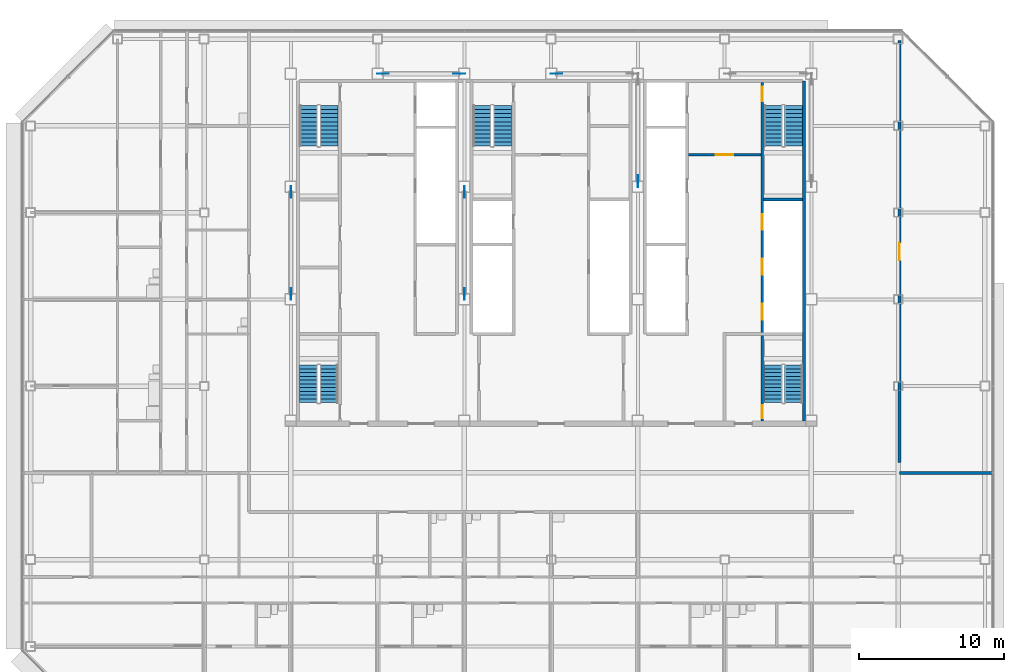
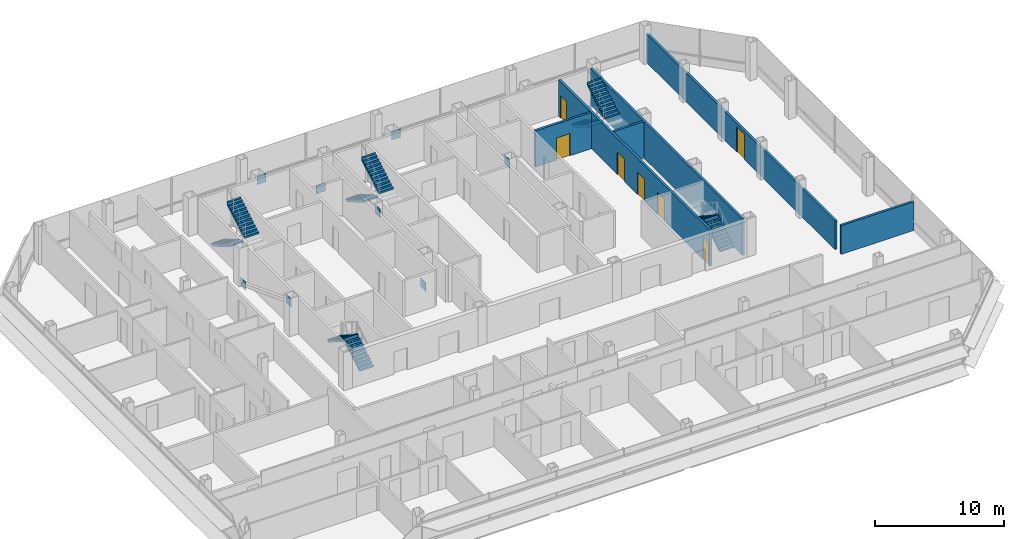
# One storey, part 24 of 27: 10 stair flights, 8 discrete accessories, 7 doors, 6 walls, 7 openings, 5 elements without a shape of their own.
"""IFC4 building model written with IfcOpenShell, lengths in metres."""

from ifc_helpers import new_model, si_unit, direction, frame, frame_2d, origin, origin_2d, place, context, subcontext, project, spatial, polyline, rectangle, outline, extrude, material, layer, layer_set, type_object, element, fill, aggregate, save


model = new_model("IFC4")

# Units and contexts
model_context = context("Model", 3, precision=1e-05, world=origin(), true_north=direction((0.0, 1.0)))
body_context = subcontext(model_context, "Body", "Model", "MODEL_VIEW")
ifc_project = project(units=[si_unit("LENGTHUNIT", "METRE"), si_unit("AREAUNIT", "SQUARE_METRE"), si_unit("VOLUMEUNIT", "CUBIC_METRE"), si_unit("PLANEANGLEUNIT", "RADIAN"), si_unit("MASSUNIT", "GRAM", prefix="KILO")], contexts=[model_context])

# Site, building, storey
site_placement = place(None, origin())
site = spatial("IfcSite", under=ifc_project, at=site_placement, CompositionType="ELEMENT")
building_placement = place(site_placement, origin())
building = spatial("IfcBuilding", under=site, at=building_placement, Name="Sorahane Residences", CompositionType="ELEMENT")
storey_placement = place(building_placement, frame((0.0, 0.0, 202.800048828125)))
storey = spatial("IfcBuildingStorey", under=building, at=storey_placement, Name="L47", CompositionType="ELEMENT", Elevation=202.800048828125)

# Wall
ifc_material_1 = material(Name="Concrete C30", Category="concrete")
ifc_layer_1 = layer(ifc_material_1, 0.199951171875)
ifc_layer_set_1 = layer_set([ifc_layer_1], Name="Core face wall 200 EI 180")
wall_type_1 = type_object("IfcWallType", Name="Core face wall 200 EI 180", PredefinedType="SOLIDWALL", material=ifc_layer_set_1)
wall_1_placement = place(storey_placement, frame((41.5, 21.60009765625, 0.0), z_axis=(0.0, 0.0, 1.0), x_axis=(0.0, 1.0, 0.0)))
element("IfcWall", 1, at=wall_1_placement, inside=storey, type_object=wall_type_1, Name="L47 core face wall", PredefinedType="SOLIDWALL", context=body_context, shape_type="SweptSolid", body=[
    extrude(rectangle(XDim=23.5, YDim=0.199951171875, at=frame_2d((11.75, 0.0))), origin(), (0.0, 0.0, 1.0), 3.419921875),
])

# Wall, opening, door
ifc_material_2 = material(Name="Concrete blockwork C20 wall", Category="masonry")
ifc_layer_2 = layer(ifc_material_2, 0.199951171875)
ifc_layer_set_2 = layer_set([ifc_layer_2], Name="Corridor wall 200 EI 120")
wall_type_2 = type_object("IfcWallType", Name="Corridor wall 200 EI 120", PredefinedType="SOLIDWALL", material=ifc_layer_set_2)
wall_2_placement = place(storey_placement, frame((48.10009765625, 18.699951171875, 0.0), z_axis=(0.0, 0.0, 1.0), x_axis=(0.0, 1.0, 0.0)))
wall_2 = element("IfcWall", 2, at=wall_2_placement, inside=storey, type_object=wall_type_2, Name="L47 corridor wall", PredefinedType="SOLIDWALL", context=body_context, shape_type="SweptSolid", body=[
    extrude(rectangle(XDim=29.199951171875, YDim=0.199951171875, at=frame_2d((14.60009765625, 0.0))), origin(), (0.0, 0.0, 1.0), 2.719970703125),
])
opening_1_placement = place(wall_2_placement, frame((14.0, 0.0, 0.0)))
opening_1 = element("IfcOpeningElement", 3, at=opening_1_placement, cuts=wall_2, Name="Opening L47-47", PredefinedType="OPENING", context=body_context, shape_type="SweptSolid", body=[
    extrude(rectangle(XDim=1.199951171875, YDim=2.39990234375, at=frame_2d((0.60009765625, 1.199951171875))), frame((0.0, 0.10986328125, 0.0), z_axis=(0.0, -1.0, 0.0), x_axis=(1.0, 0.0, 0.0)), (0.0, 0.0, 1.0), 0.219970703125),
])
ifc_material_3 = material(Name="Steel", Category="steel")
door_type_1 = type_object("IfcDoorType", Name="Lobby door 1200x2400 FD60", OperationType="NOTDEFINED", PredefinedType="DOOR", material=ifc_material_3)
door_1_placement = place(opening_1_placement, frame((1.199951171875, 0.0, 0.0), z_axis=(0.0, 0.0, 1.0), x_axis=(-1.0, 0.0, 0.0)))
door_1 = element("IfcDoor", 4, at=door_1_placement, inside=storey, type_object=door_type_1, Name="Lobby door L47-47", OperationType="SINGLE_SWING_LEFT", OverallHeight=2.39990234375, OverallWidth=1.199951171875, PredefinedType="DOOR", context=body_context, shape_type="SweptSolid", body=[
    extrude(rectangle(XDim=1.199951171875, YDim=2.39990234375, at=frame_2d((0.60009765625, 1.199951171875))), frame((0.0, 0.02490234375, 0.0), z_axis=(0.0, -1.0, 0.0), x_axis=(1.0, 0.0, 0.0)), (0.0, 0.0, 1.0), 0.050048828125),
])
fill(opening_1, door_1)

# Wall
wall_3_placement = place(storey_placement, frame((48.10009765625, 18.0, 0.0), z_axis=(0.0, 0.0, 1.0), x_axis=(1.0, 0.0, 0.0)))
element("IfcWall", 5, at=wall_3_placement, inside=storey, type_object=wall_type_2, Name="L47 corridor wall", PredefinedType="SOLIDWALL", context=body_context, shape_type="SweptSolid", body=[
    extrude(rectangle(XDim=6.5, YDim=0.199951171875, at=frame_2d((3.25, 0.0))), origin(), (0.0, 0.0, 1.0), 2.719970703125),
])

# Wall, opening, door
ifc_material_4 = material(Name="Concrete C30", Category="concrete")
ifc_layer_3 = layer(ifc_material_4, 0.199951171875)
ifc_layer_set_3 = layer_set([ifc_layer_3], Name="Front room wall 200 EI 120")
wall_type_3 = type_object("IfcWallType", Name="Front room wall 200 EI 120", PredefinedType="PARTITIONING", material=ifc_layer_set_3)
wall_4_placement = place(storey_placement, frame((33.5, 40.0, 0.0), z_axis=(0.0, 0.0, 1.0), x_axis=(1.0, 0.0, 0.0)))
wall_4 = element("IfcWall", 6, at=wall_4_placement, inside=storey, type_object=wall_type_3, Name="L47 front room wall", PredefinedType="PARTITIONING", context=body_context, shape_type="SweptSolid", body=[
    extrude(rectangle(XDim=5.0, YDim=0.199951171875, at=frame_2d((2.5, 0.0))), origin(), (0.0, 0.0, 1.0), 3.419921875),
])
opening_2_placement = place(wall_4_placement, frame((1.89990234375, 0.0, 0.0)))
opening_2 = element("IfcOpeningElement", 7, at=opening_2_placement, cuts=wall_4, Name="Opening L47-C10", PredefinedType="OPENING", context=body_context, shape_type="SweptSolid", body=[
    extrude(rectangle(XDim=1.199951171875, YDim=2.10009765625, at=frame_2d((0.60009765625, 1.050048828125))), frame((0.0, 0.10986328125, 0.0), z_axis=(0.0, -1.0, 0.0), x_axis=(1.0, 0.0, 0.0)), (0.0, 0.0, 1.0), 0.219970703125),
])
ifc_material_5 = material(Name="Steel", Category="steel")
door_type_2 = type_object("IfcDoorType", Name="Front room door 1200x2100 FD120", OperationType="NOTDEFINED", PredefinedType="DOOR", material=ifc_material_5)
door_2_placement = place(opening_2_placement, frame((1.199951171875, 0.0, 0.0), z_axis=(0.0, 0.0, 1.0), x_axis=(-1.0, 0.0, 0.0)))
door_2 = element("IfcDoor", 8, at=door_2_placement, inside=storey, type_object=door_type_2, Name="Front room door Firefighting lobby FF2 front room L47", OperationType="DOUBLE_DOOR_SINGLE_SWING", OverallHeight=2.10009765625, OverallWidth=1.199951171875, PredefinedType="DOOR", context=body_context, shape_type="SweptSolid", body=[
    extrude(rectangle(XDim=1.199951171875, YDim=2.10009765625, at=frame_2d((0.60009765625, 1.050048828125))), frame((0.0, 0.02490234375, 0.0), z_axis=(0.0, -1.0, 0.0), x_axis=(1.0, 0.0, 0.0)), (0.0, 0.0, 1.0), 0.050048828125),
])
fill(opening_2, door_2)

# Wall, openings, doors
ifc_material_6 = material(Name="Concrete C30", Category="concrete")
ifc_layer_4 = layer(ifc_material_6, 0.199951171875)
ifc_layer_set_4 = layer_set([ifc_layer_4], Name="Stair enclosure wall 200 EI 120")
wall_type_4 = type_object("IfcWallType", Name="Stair enclosure wall 200 EI 120", PredefinedType="SOLIDWALL", material=ifc_layer_set_4)
wall_5_placement = place(storey_placement, frame((38.60009765625, 21.60009765625, 0.0), z_axis=(0.0, 0.0, 1.0), x_axis=(0.0, 1.0, 0.0)))
wall_5 = element("IfcWall", 9, at=wall_5_placement, inside=storey, type_object=wall_type_4, Name="L47 stair enclosure wall", PredefinedType="SOLIDWALL", context=body_context, shape_type="SweptSolid", body=[
    extrude(rectangle(XDim=23.39990234375, YDim=0.199951171875, at=frame_2d((11.699951171875, 0.0))), origin(), (0.0, 0.0, 1.0), 3.419921875),
])
opening_3_placement = place(wall_5_placement, frame((7.0, 0.0, 0.0)))
opening_3 = element("IfcOpeningElement", 10, at=opening_3_placement, cuts=wall_5, Name="Opening L47-C11", PredefinedType="OPENING", context=body_context, shape_type="SweptSolid", body=[
    extrude(rectangle(XDim=1.10009765625, YDim=2.10009765625, at=frame_2d((0.550048828125, 1.050048828125))), frame((0.0, 0.10986328125, 0.0), z_axis=(0.0, -1.0, 0.0), x_axis=(1.0, 0.0, 0.0)), (0.0, 0.0, 1.0), 0.219970703125),
])
opening_4_placement = place(wall_5_placement, frame((10.10009765625, 0.0, 0.0)))
opening_4 = element("IfcOpeningElement", 11, at=opening_4_placement, cuts=wall_5, Name="Opening L47-C12", PredefinedType="OPENING", context=body_context, shape_type="SweptSolid", body=[
    extrude(rectangle(XDim=1.10009765625, YDim=2.10009765625, at=frame_2d((0.550048828125, 1.050048828125))), frame((0.0, 0.10986328125, 0.0), z_axis=(0.0, -1.0, 0.0), x_axis=(1.0, 0.0, 0.0)), (0.0, 0.0, 1.0), 0.219970703125),
])
opening_5_placement = place(wall_5_placement, frame((13.199951171875, 0.0, 0.0)))
opening_5 = element("IfcOpeningElement", 12, at=opening_5_placement, cuts=wall_5, Name="Opening L47-C13", PredefinedType="OPENING", context=body_context, shape_type="SweptSolid", body=[
    extrude(rectangle(XDim=1.10009765625, YDim=2.10009765625, at=frame_2d((0.550048828125, 1.050048828125))), frame((0.0, 0.10986328125, 0.0), z_axis=(0.0, -1.0, 0.0), x_axis=(1.0, 0.0, 0.0)), (0.0, 0.0, 1.0), 0.219970703125),
])
opening_6_placement = place(wall_5_placement, frame((22.10009765625, 0.0, 0.0)))
opening_6 = element("IfcOpeningElement", 13, at=opening_6_placement, cuts=wall_5, Name="Opening L47-C22", PredefinedType="OPENING", context=body_context, shape_type="SweptSolid", body=[
    extrude(rectangle(XDim=1.0, YDim=2.10009765625, at=frame_2d((0.5, 1.050048828125))), frame((0.0, 0.10986328125, 0.0), z_axis=(0.0, -1.0, 0.0), x_axis=(1.0, 0.0, 0.0)), (0.0, 0.0, 1.0), 0.219970703125),
])
opening_7_placement = place(wall_5_placement, frame((0.175048828125, 0.0, 0.0)))
opening_7 = element("IfcOpeningElement", 14, at=opening_7_placement, cuts=wall_5, Name="Opening L47-C25", PredefinedType="OPENING", context=body_context, shape_type="SweptSolid", body=[
    extrude(rectangle(XDim=0.89990234375, YDim=2.10009765625, at=frame_2d((0.449951171875, 1.050048828125))), frame((0.0, 0.10986328125, 0.0), z_axis=(0.0, -1.0, 0.0), x_axis=(1.0, 0.0, 0.0)), (0.0, 0.0, 1.0), 0.219970703125),
])
ifc_material_7 = material(Name="Aluminium and stainless steel", Category="steel")
door_type_3 = type_object("IfcDoorType", Name="Lift landing door 1100x2100 E 60", OperationType="NOTDEFINED", PredefinedType="DOOR", material=ifc_material_7)
door_3_placement = place(opening_3_placement, origin())
door_3 = element("IfcDoor", 15, at=door_3_placement, inside=storey, type_object=door_type_3, Name="Lift landing door HR1 L47", OperationType="DOUBLE_DOOR_SLIDING", OverallHeight=2.10009765625, OverallWidth=1.10009765625, PredefinedType="DOOR", context=body_context, shape_type="SweptSolid", body=[
    extrude(rectangle(XDim=1.10009765625, YDim=2.10009765625, at=frame_2d((0.550048828125, 1.050048828125))), frame((0.0, 0.02490234375, 0.0), z_axis=(0.0, -1.0, 0.0), x_axis=(1.0, 0.0, 0.0)), (0.0, 0.0, 1.0), 0.050048828125),
])
fill(opening_3, door_3)
door_4_placement = place(opening_4_placement, origin())
door_4 = element("IfcDoor", 16, at=door_4_placement, inside=storey, type_object=door_type_3, Name="Lift landing door HR2 L47", OperationType="DOUBLE_DOOR_SLIDING", OverallHeight=2.10009765625, OverallWidth=1.10009765625, PredefinedType="DOOR", context=body_context, shape_type="SweptSolid", body=[
    extrude(rectangle(XDim=1.10009765625, YDim=2.10009765625, at=frame_2d((0.550048828125, 1.050048828125))), frame((0.0, 0.02490234375, 0.0), z_axis=(0.0, -1.0, 0.0), x_axis=(1.0, 0.0, 0.0)), (0.0, 0.0, 1.0), 0.050048828125),
])
fill(opening_4, door_4)
door_5_placement = place(opening_5_placement, origin())
door_5 = element("IfcDoor", 17, at=door_5_placement, inside=storey, type_object=door_type_3, Name="Lift landing door HR3 L47", OperationType="DOUBLE_DOOR_SLIDING", OverallHeight=2.10009765625, OverallWidth=1.10009765625, PredefinedType="DOOR", context=body_context, shape_type="SweptSolid", body=[
    extrude(rectangle(XDim=1.10009765625, YDim=2.10009765625, at=frame_2d((0.550048828125, 1.050048828125))), frame((0.0, 0.02490234375, 0.0), z_axis=(0.0, -1.0, 0.0), x_axis=(1.0, 0.0, 0.0)), (0.0, 0.0, 1.0), 0.050048828125),
])
fill(opening_5, door_5)
ifc_material_8 = material(Name="Steel", Category="steel")
door_type_4 = type_object("IfcDoorType", Name="Stair door 1000x2100 FD120", OperationType="NOTDEFINED", PredefinedType="DOOR", material=ifc_material_8)
door_6_placement = place(opening_6_placement, frame((1.0, 0.0, 0.0), z_axis=(0.0, 0.0, 1.0), x_axis=(-1.0, 0.0, 0.0)))
door_6 = element("IfcDoor", 18, at=door_6_placement, inside=storey, type_object=door_type_4, Name="Stair door S2 L47", OperationType="SINGLE_SWING_LEFT", OverallHeight=2.10009765625, OverallWidth=1.0, PredefinedType="DOOR", context=body_context, shape_type="SweptSolid", body=[
    extrude(rectangle(XDim=1.0, YDim=2.10009765625, at=frame_2d((0.5, 1.050048828125))), frame((0.0, 0.02490234375, 0.0), z_axis=(0.0, -1.0, 0.0), x_axis=(1.0, 0.0, 0.0)), (0.0, 0.0, 1.0), 0.050048828125),
])
fill(opening_6, door_6)
ifc_material_9 = material(Name="Steel", Category="steel")
door_type_5 = type_object("IfcDoorType", Name="Stair door 900x2100 FD120", OperationType="NOTDEFINED", PredefinedType="DOOR", material=ifc_material_9)
door_7_placement = place(opening_7_placement, frame((0.89990234375, 0.0, 0.0), z_axis=(0.0, 0.0, 1.0), x_axis=(-1.0, 0.0, 0.0)))
door_7 = element("IfcDoor", 19, at=door_7_placement, inside=storey, type_object=door_type_5, Name="Stair door S5 L47", OperationType="SINGLE_SWING_LEFT", OverallHeight=2.10009765625, OverallWidth=0.89990234375, PredefinedType="DOOR", context=body_context, shape_type="SweptSolid", body=[
    extrude(rectangle(XDim=0.89990234375, YDim=2.10009765625, at=frame_2d((0.449951171875, 1.050048828125))), frame((0.0, 0.02490234375, 0.0), z_axis=(0.0, -1.0, 0.0), x_axis=(1.0, 0.0, 0.0)), (0.0, 0.0, 1.0), 0.050048828125),
])
fill(opening_7, door_7)

# Wall
wall_6_placement = place(storey_placement, frame((38.699951171875, 36.89990234375, 0.0), z_axis=(0.0, 0.0, 1.0), x_axis=(1.0, 0.0, 0.0)))
element("IfcWall", 20, at=wall_6_placement, inside=storey, type_object=wall_type_4, Name="L47 stair enclosure wall", PredefinedType="SOLIDWALL", context=body_context, shape_type="SweptSolid", body=[
    extrude(rectangle(XDim=2.699951171875, YDim=0.199951171875, at=frame_2d((1.35009765625, 0.0))), origin(), (0.0, 0.0, 1.0), 3.419921875),
])

# Stair, stair flights
ifc_material_10 = material(Name="Concrete C40", Category="concrete")
stair_type = type_object("IfcStairType", Name="Dog-leg stair 1250 Concrete C40", PredefinedType="HALF_TURN_STAIR", material=ifc_material_10)
stair_1_placement = place(storey_placement, origin())
stair_1 = element("IfcStair", 21, at=stair_1_placement, inside=storey, type_object=stair_type, Name="L47 Stair S1", PredefinedType="HALF_TURN_STAIR")
ifc_material_11 = material(Name="Concrete C40", Category="concrete")
stair_flight_type = type_object("IfcStairFlightType", Name="Stair flight 1250 Concrete C40", PredefinedType="STRAIGHT", material=ifc_material_11)
stair_flight_1_placement = place(storey_placement, frame((7.22509765625, 43.39990234375, 0.0), z_axis=(0.0, 0.0, 1.0), x_axis=(0.0, -1.0, 0.0)))
stair_flight_1 = element("IfcStairFlight", 22, at=stair_flight_1_placement, type_object=stair_flight_type, Name="S1 flight 1", NumberOfRisers=11, NumberOfTreads=10, PredefinedType="STRAIGHT", RiserHeight=0.163636364, TreadLength=0.28, context=body_context, shape_type="SweptSolid", body=[
    extrude(outline(polyline([(-0.00146484375, 0.0), (-0.00146484375, 0.16357421875), (0.0, 0.16357421875), (0.280029296875, 0.16357421875), (0.280029296875, 0.327392578125), (0.56005859375, 0.327392578125), (0.56005859375, 0.490966796875), (0.840087890625, 0.490966796875), (0.840087890625, 0.654541015625), (1.1201171875, 0.654541015625), (1.1201171875, 0.818115234375), (1.39990234375, 0.818115234375), (1.39990234375, 0.98193359375), (1.679931640625, 0.98193359375), (1.679931640625, 1.1455078125), (1.9599609375, 1.1455078125), (1.9599609375, 1.30908203125), (2.239990234375, 1.30908203125), (2.239990234375, 1.47265625), (2.52001953125, 1.47265625), (2.52001953125, 1.636474609375), (2.800048828125, 1.636474609375), (2.800048828125, 1.800048828125), (2.800048828125, 1.462646484375), (2.59130859375, 1.3408203125), (2.3828125, 1.218994140625), (2.17431640625, 1.09716796875), (1.965576171875, 0.97509765625), (1.757080078125, 0.853271484375), (1.548583984375, 0.7314453125), (1.340087890625, 0.609375), (1.13134765625, 0.487548828125), (0.9228515625, 0.36572265625), (0.71435546875, 0.243896484375), (0.505615234375, 0.121826171875), (0.297119140625, 0.0), (-0.00146484375, 0.0)])), frame((0.0, 0.625, 0.0), z_axis=(0.0, -1.0, 0.0), x_axis=(1.0, 0.0, 0.0)), (0.0, 0.0, 1.0), 1.25),
])
stair_flight_2_placement = place(storey_placement, frame((8.625, 40.60009765625, 1.800048828125), z_axis=(0.0, 0.0, 1.0), x_axis=(0.0, 1.0, 0.0)))
stair_flight_2 = element("IfcStairFlight", 23, at=stair_flight_2_placement, type_object=stair_flight_type, Name="S1 flight 2", NumberOfRisers=11, NumberOfTreads=10, PredefinedType="STRAIGHT", RiserHeight=0.163636364, TreadLength=0.28, context=body_context, shape_type="SweptSolid", body=[
    extrude(outline(polyline([(0.0, 0.0), (0.0, 0.16357421875), (0.280029296875, 0.16357421875), (0.280029296875, 0.327392578125), (0.56005859375, 0.327392578125), (0.56005859375, 0.490966796875), (0.840087890625, 0.490966796875), (0.840087890625, 0.654541015625), (1.1201171875, 0.654541015625), (1.1201171875, 0.818115234375), (1.39990234375, 0.818115234375), (1.39990234375, 0.98193359375), (1.679931640625, 0.98193359375), (1.679931640625, 1.1455078125), (1.9599609375, 1.1455078125), (1.9599609375, 1.30908203125), (2.239990234375, 1.30908203125), (2.239990234375, 1.47265625), (2.52001953125, 1.47265625), (2.52001953125, 1.636474609375), (2.800048828125, 1.636474609375), (2.800048828125, 1.800048828125), (2.801513671875, 1.800048828125), (2.801513671875, 1.462646484375), (2.5927734375, 1.3408203125), (2.384033203125, 1.218994140625), (2.17529296875, 1.09716796875), (1.966796875, 0.97509765625), (1.758056640625, 0.853271484375), (1.54931640625, 0.7314453125), (1.340576171875, 0.609375), (1.1318359375, 0.487548828125), (0.923095703125, 0.36572265625), (0.714599609375, 0.243896484375), (0.505859375, 0.121826171875), (0.297119140625, 0.0), (0.0, 0.0)])), frame((0.0, 0.625, 0.0), z_axis=(0.0, -1.0, 0.0), x_axis=(1.0, 0.0, 0.0)), (0.0, 0.0, 1.0), 1.25),
])
aggregate(stair_1, [stair_flight_1, stair_flight_2])

stair_2_placement = place(storey_placement, origin())
stair_2 = element("IfcStair", 24, at=stair_2_placement, inside=storey, type_object=stair_type, Name="L47 Stair S2", PredefinedType="HALF_TURN_STAIR")
stair_flight_3_placement = place(storey_placement, frame((39.375, 43.39990234375, 0.0), z_axis=(0.0, 0.0, 1.0), x_axis=(0.0, -1.0, 0.0)))
stair_flight_3 = element("IfcStairFlight", 25, at=stair_flight_3_placement, type_object=stair_flight_type, Name="S2 flight 1", NumberOfRisers=11, NumberOfTreads=10, PredefinedType="STRAIGHT", RiserHeight=0.163636364, TreadLength=0.28, context=body_context, shape_type="SweptSolid", body=[
    extrude(outline(polyline([(-0.00146484375, 0.0), (-0.00146484375, 0.16357421875), (0.0, 0.16357421875), (0.280029296875, 0.16357421875), (0.280029296875, 0.327392578125), (0.56005859375, 0.327392578125), (0.56005859375, 0.490966796875), (0.840087890625, 0.490966796875), (0.840087890625, 0.654541015625), (1.1201171875, 0.654541015625), (1.1201171875, 0.818115234375), (1.39990234375, 0.818115234375), (1.39990234375, 0.98193359375), (1.679931640625, 0.98193359375), (1.679931640625, 1.1455078125), (1.9599609375, 1.1455078125), (1.9599609375, 1.30908203125), (2.239990234375, 1.30908203125), (2.239990234375, 1.47265625), (2.52001953125, 1.47265625), (2.52001953125, 1.636474609375), (2.800048828125, 1.636474609375), (2.800048828125, 1.800048828125), (2.800048828125, 1.462646484375), (2.59130859375, 1.3408203125), (2.3828125, 1.218994140625), (2.17431640625, 1.09716796875), (1.965576171875, 0.97509765625), (1.757080078125, 0.853271484375), (1.548583984375, 0.7314453125), (1.340087890625, 0.609375), (1.13134765625, 0.487548828125), (0.9228515625, 0.36572265625), (0.71435546875, 0.243896484375), (0.505615234375, 0.121826171875), (0.297119140625, 0.0), (-0.00146484375, 0.0)])), frame((0.0, 0.625, 0.0), z_axis=(0.0, -1.0, 0.0), x_axis=(1.0, 0.0, 0.0)), (0.0, 0.0, 1.0), 1.25),
])
stair_flight_4_placement = place(storey_placement, frame((40.77490234375, 40.60009765625, 1.800048828125), z_axis=(0.0, 0.0, 1.0), x_axis=(0.0, 1.0, 0.0)))
stair_flight_4 = element("IfcStairFlight", 26, at=stair_flight_4_placement, type_object=stair_flight_type, Name="S2 flight 2", NumberOfRisers=11, NumberOfTreads=10, PredefinedType="STRAIGHT", RiserHeight=0.163636364, TreadLength=0.28, context=body_context, shape_type="SweptSolid", body=[
    extrude(outline(polyline([(0.0, 0.0), (0.0, 0.16357421875), (0.280029296875, 0.16357421875), (0.280029296875, 0.327392578125), (0.56005859375, 0.327392578125), (0.56005859375, 0.490966796875), (0.840087890625, 0.490966796875), (0.840087890625, 0.654541015625), (1.1201171875, 0.654541015625), (1.1201171875, 0.818115234375), (1.39990234375, 0.818115234375), (1.39990234375, 0.98193359375), (1.679931640625, 0.98193359375), (1.679931640625, 1.1455078125), (1.9599609375, 1.1455078125), (1.9599609375, 1.30908203125), (2.239990234375, 1.30908203125), (2.239990234375, 1.47265625), (2.52001953125, 1.47265625), (2.52001953125, 1.636474609375), (2.800048828125, 1.636474609375), (2.800048828125, 1.800048828125), (2.801513671875, 1.800048828125), (2.801513671875, 1.462646484375), (2.5927734375, 1.3408203125), (2.384033203125, 1.218994140625), (2.17529296875, 1.09716796875), (1.966796875, 0.97509765625), (1.758056640625, 0.853271484375), (1.54931640625, 0.7314453125), (1.340576171875, 0.609375), (1.1318359375, 0.487548828125), (0.923095703125, 0.36572265625), (0.714599609375, 0.243896484375), (0.505859375, 0.121826171875), (0.297119140625, 0.0), (0.0, 0.0)])), frame((0.0, 0.625, 0.0), z_axis=(0.0, -1.0, 0.0), x_axis=(1.0, 0.0, 0.0)), (0.0, 0.0, 1.0), 1.25),
])
aggregate(stair_2, [stair_flight_3, stair_flight_4])

stair_3_placement = place(storey_placement, origin())
stair_3 = element("IfcStair", 27, at=stair_3_placement, inside=storey, type_object=stair_type, Name="L47 Stair S3", PredefinedType="HALF_TURN_STAIR")
stair_flight_5_placement = place(storey_placement, frame((19.22509765625, 43.39990234375, 0.0), z_axis=(0.0, 0.0, 1.0), x_axis=(0.0, -1.0, 0.0)))
stair_flight_5 = element("IfcStairFlight", 28, at=stair_flight_5_placement, type_object=stair_flight_type, Name="S3 flight 1", NumberOfRisers=11, NumberOfTreads=10, PredefinedType="STRAIGHT", RiserHeight=0.163636364, TreadLength=0.28, context=body_context, shape_type="SweptSolid", body=[
    extrude(outline(polyline([(-0.00146484375, 0.0), (-0.00146484375, 0.16357421875), (0.0, 0.16357421875), (0.280029296875, 0.16357421875), (0.280029296875, 0.327392578125), (0.56005859375, 0.327392578125), (0.56005859375, 0.490966796875), (0.840087890625, 0.490966796875), (0.840087890625, 0.654541015625), (1.1201171875, 0.654541015625), (1.1201171875, 0.818115234375), (1.39990234375, 0.818115234375), (1.39990234375, 0.98193359375), (1.679931640625, 0.98193359375), (1.679931640625, 1.1455078125), (1.9599609375, 1.1455078125), (1.9599609375, 1.30908203125), (2.239990234375, 1.30908203125), (2.239990234375, 1.47265625), (2.52001953125, 1.47265625), (2.52001953125, 1.636474609375), (2.800048828125, 1.636474609375), (2.800048828125, 1.800048828125), (2.800048828125, 1.462646484375), (2.59130859375, 1.3408203125), (2.3828125, 1.218994140625), (2.17431640625, 1.09716796875), (1.965576171875, 0.97509765625), (1.757080078125, 0.853271484375), (1.548583984375, 0.7314453125), (1.340087890625, 0.609375), (1.13134765625, 0.487548828125), (0.9228515625, 0.36572265625), (0.71435546875, 0.243896484375), (0.505615234375, 0.121826171875), (0.297119140625, 0.0), (-0.00146484375, 0.0)])), frame((0.0, 0.625, 0.0), z_axis=(0.0, -1.0, 0.0), x_axis=(1.0, 0.0, 0.0)), (0.0, 0.0, 1.0), 1.25),
])
stair_flight_6_placement = place(storey_placement, frame((20.625, 40.60009765625, 1.800048828125), z_axis=(0.0, 0.0, 1.0), x_axis=(0.0, 1.0, 0.0)))
stair_flight_6 = element("IfcStairFlight", 29, at=stair_flight_6_placement, type_object=stair_flight_type, Name="S3 flight 2", NumberOfRisers=11, NumberOfTreads=10, PredefinedType="STRAIGHT", RiserHeight=0.163636364, TreadLength=0.28, context=body_context, shape_type="SweptSolid", body=[
    extrude(outline(polyline([(0.0, 0.0), (0.0, 0.16357421875), (0.280029296875, 0.16357421875), (0.280029296875, 0.327392578125), (0.56005859375, 0.327392578125), (0.56005859375, 0.490966796875), (0.840087890625, 0.490966796875), (0.840087890625, 0.654541015625), (1.1201171875, 0.654541015625), (1.1201171875, 0.818115234375), (1.39990234375, 0.818115234375), (1.39990234375, 0.98193359375), (1.679931640625, 0.98193359375), (1.679931640625, 1.1455078125), (1.9599609375, 1.1455078125), (1.9599609375, 1.30908203125), (2.239990234375, 1.30908203125), (2.239990234375, 1.47265625), (2.52001953125, 1.47265625), (2.52001953125, 1.636474609375), (2.800048828125, 1.636474609375), (2.800048828125, 1.800048828125), (2.801513671875, 1.800048828125), (2.801513671875, 1.462646484375), (2.5927734375, 1.3408203125), (2.384033203125, 1.218994140625), (2.17529296875, 1.09716796875), (1.966796875, 0.97509765625), (1.758056640625, 0.853271484375), (1.54931640625, 0.7314453125), (1.340576171875, 0.609375), (1.1318359375, 0.487548828125), (0.923095703125, 0.36572265625), (0.714599609375, 0.243896484375), (0.505859375, 0.121826171875), (0.297119140625, 0.0), (0.0, 0.0)])), frame((0.0, 0.625, 0.0), z_axis=(0.0, -1.0, 0.0), x_axis=(1.0, 0.0, 0.0)), (0.0, 0.0, 1.0), 1.25),
])
aggregate(stair_3, [stair_flight_5, stair_flight_6])

stair_4_placement = place(storey_placement, origin())
stair_4 = element("IfcStair", 30, at=stair_4_placement, inside=storey, type_object=stair_type, Name="L47 Stair S4", PredefinedType="HALF_TURN_STAIR")
stair_flight_7_placement = place(storey_placement, frame((8.625, 22.85009765625, 0.0), z_axis=(0.0, 0.0, 1.0), x_axis=(0.0, 1.0, 0.0)))
stair_flight_7 = element("IfcStairFlight", 31, at=stair_flight_7_placement, type_object=stair_flight_type, Name="S4 flight 1", NumberOfRisers=11, NumberOfTreads=10, PredefinedType="STRAIGHT", RiserHeight=0.163636364, TreadLength=0.26, context=body_context, shape_type="SweptSolid", body=[
    extrude(outline(polyline([(-0.00146484375, 0.0), (-0.00146484375, 0.16357421875), (0.0, 0.16357421875), (0.260009765625, 0.16357421875), (0.260009765625, 0.327392578125), (0.52001953125, 0.327392578125), (0.52001953125, 0.490966796875), (0.780029296875, 0.490966796875), (0.780029296875, 0.654541015625), (1.0400390625, 0.654541015625), (1.0400390625, 0.818115234375), (1.300048828125, 0.818115234375), (1.300048828125, 0.98193359375), (1.56005859375, 0.98193359375), (1.56005859375, 1.1455078125), (1.820068359375, 1.1455078125), (1.820068359375, 1.30908203125), (2.080078125, 1.30908203125), (2.080078125, 1.47265625), (2.340087890625, 1.47265625), (2.340087890625, 1.636474609375), (2.60009765625, 1.636474609375), (2.60009765625, 1.800048828125), (2.60009765625, 1.494384765625), (2.402099609375, 1.369873046875), (2.204345703125, 1.245361328125), (2.00634765625, 1.120849609375), (1.80859375, 0.996337890625), (1.610595703125, 0.871826171875), (1.412841796875, 0.747314453125), (1.21484375, 0.622802734375), (1.01708984375, 0.498046875), (0.819091796875, 0.37353515625), (0.621337890625, 0.2490234375), (0.42333984375, 0.12451171875), (0.2255859375, 0.0), (-0.00146484375, 0.0)])), frame((0.0, 0.625, 0.0), z_axis=(0.0, -1.0, 0.0), x_axis=(1.0, 0.0, 0.0)), (0.0, 0.0, 1.0), 1.25),
])
stair_flight_8_placement = place(storey_placement, frame((7.22509765625, 25.449951171875, 1.800048828125), z_axis=(0.0, 0.0, 1.0), x_axis=(0.0, -1.0, 0.0)))
stair_flight_8 = element("IfcStairFlight", 32, at=stair_flight_8_placement, type_object=stair_flight_type, Name="S4 flight 2", NumberOfRisers=11, NumberOfTreads=10, PredefinedType="STRAIGHT", RiserHeight=0.163636364, TreadLength=0.26, context=body_context, shape_type="SweptSolid", body=[
    extrude(outline(polyline([(0.0, 0.0), (0.0, 0.16357421875), (0.260009765625, 0.16357421875), (0.260009765625, 0.327392578125), (0.52001953125, 0.327392578125), (0.52001953125, 0.490966796875), (0.780029296875, 0.490966796875), (0.780029296875, 0.654541015625), (1.0400390625, 0.654541015625), (1.0400390625, 0.818115234375), (1.300048828125, 0.818115234375), (1.300048828125, 0.98193359375), (1.56005859375, 0.98193359375), (1.56005859375, 1.1455078125), (1.820068359375, 1.1455078125), (1.820068359375, 1.30908203125), (2.080078125, 1.30908203125), (2.080078125, 1.47265625), (2.340087890625, 1.47265625), (2.340087890625, 1.636474609375), (2.60009765625, 1.636474609375), (2.60009765625, 1.800048828125), (2.6015625, 1.800048828125), (2.6015625, 1.494384765625), (2.403564453125, 1.369873046875), (2.20556640625, 1.245361328125), (2.007568359375, 1.120849609375), (1.8095703125, 0.996337890625), (1.611572265625, 0.871826171875), (1.41357421875, 0.747314453125), (1.215576171875, 0.622802734375), (1.017578125, 0.498046875), (0.819580078125, 0.37353515625), (0.62158203125, 0.2490234375), (0.423583984375, 0.12451171875), (0.2255859375, 0.0), (0.0, 0.0)])), frame((0.0, 0.625, 0.0), z_axis=(0.0, -1.0, 0.0), x_axis=(1.0, 0.0, 0.0)), (0.0, 0.0, 1.0), 1.25),
])
aggregate(stair_4, [stair_flight_7, stair_flight_8])

stair_5_placement = place(storey_placement, origin())
stair_5 = element("IfcStair", 33, at=stair_5_placement, inside=storey, type_object=stair_type, Name="L47 Stair S5", PredefinedType="HALF_TURN_STAIR")
stair_flight_9_placement = place(storey_placement, frame((40.77490234375, 22.85009765625, 0.0), z_axis=(0.0, 0.0, 1.0), x_axis=(0.0, 1.0, 0.0)))
stair_flight_9 = element("IfcStairFlight", 34, at=stair_flight_9_placement, type_object=stair_flight_type, Name="S5 flight 1", NumberOfRisers=11, NumberOfTreads=10, PredefinedType="STRAIGHT", RiserHeight=0.163636364, TreadLength=0.26, context=body_context, shape_type="SweptSolid", body=[
    extrude(outline(polyline([(-0.00146484375, 0.0), (-0.00146484375, 0.16357421875), (0.0, 0.16357421875), (0.260009765625, 0.16357421875), (0.260009765625, 0.327392578125), (0.52001953125, 0.327392578125), (0.52001953125, 0.490966796875), (0.780029296875, 0.490966796875), (0.780029296875, 0.654541015625), (1.0400390625, 0.654541015625), (1.0400390625, 0.818115234375), (1.300048828125, 0.818115234375), (1.300048828125, 0.98193359375), (1.56005859375, 0.98193359375), (1.56005859375, 1.1455078125), (1.820068359375, 1.1455078125), (1.820068359375, 1.30908203125), (2.080078125, 1.30908203125), (2.080078125, 1.47265625), (2.340087890625, 1.47265625), (2.340087890625, 1.636474609375), (2.60009765625, 1.636474609375), (2.60009765625, 1.800048828125), (2.60009765625, 1.494384765625), (2.402099609375, 1.369873046875), (2.204345703125, 1.245361328125), (2.00634765625, 1.120849609375), (1.80859375, 0.996337890625), (1.610595703125, 0.871826171875), (1.412841796875, 0.747314453125), (1.21484375, 0.622802734375), (1.01708984375, 0.498046875), (0.819091796875, 0.37353515625), (0.621337890625, 0.2490234375), (0.42333984375, 0.12451171875), (0.2255859375, 0.0), (-0.00146484375, 0.0)])), frame((0.0, 0.625, 0.0), z_axis=(0.0, -1.0, 0.0), x_axis=(1.0, 0.0, 0.0)), (0.0, 0.0, 1.0), 1.25),
])
stair_flight_10_placement = place(storey_placement, frame((39.375, 25.449951171875, 1.800048828125), z_axis=(0.0, 0.0, 1.0), x_axis=(0.0, -1.0, 0.0)))
stair_flight_10 = element("IfcStairFlight", 35, at=stair_flight_10_placement, type_object=stair_flight_type, Name="S5 flight 2", NumberOfRisers=11, NumberOfTreads=10, PredefinedType="STRAIGHT", RiserHeight=0.163636364, TreadLength=0.26, context=body_context, shape_type="SweptSolid", body=[
    extrude(outline(polyline([(0.0, 0.0), (0.0, 0.16357421875), (0.260009765625, 0.16357421875), (0.260009765625, 0.327392578125), (0.52001953125, 0.327392578125), (0.52001953125, 0.490966796875), (0.780029296875, 0.490966796875), (0.780029296875, 0.654541015625), (1.0400390625, 0.654541015625), (1.0400390625, 0.818115234375), (1.300048828125, 0.818115234375), (1.300048828125, 0.98193359375), (1.56005859375, 0.98193359375), (1.56005859375, 1.1455078125), (1.820068359375, 1.1455078125), (1.820068359375, 1.30908203125), (2.080078125, 1.30908203125), (2.080078125, 1.47265625), (2.340087890625, 1.47265625), (2.340087890625, 1.636474609375), (2.60009765625, 1.636474609375), (2.60009765625, 1.800048828125), (2.6015625, 1.800048828125), (2.6015625, 1.494384765625), (2.403564453125, 1.369873046875), (2.20556640625, 1.245361328125), (2.007568359375, 1.120849609375), (1.8095703125, 0.996337890625), (1.611572265625, 0.871826171875), (1.41357421875, 0.747314453125), (1.215576171875, 0.622802734375), (1.017578125, 0.498046875), (0.819580078125, 0.37353515625), (0.62158203125, 0.2490234375), (0.423583984375, 0.12451171875), (0.2255859375, 0.0), (0.0, 0.0)])), frame((0.0, 0.625, 0.0), z_axis=(0.0, -1.0, 0.0), x_axis=(1.0, 0.0, 0.0)), (0.0, 0.0, 1.0), 1.25),
])
aggregate(stair_5, [stair_flight_9, stair_flight_10])

# Discrete accessories
ifc_material_12 = material(Name="Steel Q355B", Category="steel")
ifc_layer_5 = layer(ifc_material_12, 0.02490234375)
ifc_layer_set_5 = layer_set([ifc_layer_5], Name="Node plate Steel Q355B 25")
discrete_accessory_type = type_object("IfcDiscreteAccessoryType", Name="Node plate Steel Q355B 25", PredefinedType="BRACKET", material=ifc_layer_set_5)
for number, where, z_axis, x_axis, name in (
    (36, (6.0, 37.43212890625, -0.26220703125), (0.0, 0.0, 1.0), (0.0, 1.0, 0.0), "Node plate L47 br"),
    (37, (6.0, 30.367919921875, 2.43212890625), (0.0, 0.0, 1.0), (0.0, 1.0, 0.0), "Node plate L47 br"),
    (38, (18.0, 30.367919921875, -0.26220703125), (0.0, 0.0, 1.0), (0.0, 1.0, 0.0), "Node plate L47 br"),
    (39, (18.0, 37.43212890625, 2.43212890625), (0.0, 0.0, 1.0), (0.0, 1.0, 0.0), "Node plate L47 br"),
    (40, (30.0, 38.16796875, 2.43212890625), (0.0, 0.0, 1.0), (0.0, 1.0, 0.0), "Node plate L47 br"),
    (41, (17.64111328125, 45.60009765625, -0.27099609375), (0.0, 0.0, 1.0), (1.0, 0.0, 0.0), "Node plate L47 br"),
    (42, (12.35888671875, 45.60009765625, 2.44091796875), (0.0, 0.0, 1.0), (1.0, 0.0, 0.0), "Node plate L47 br"),
    (43, (24.35888671875, 45.60009765625, 2.44091796875), (0.0, 0.0, 1.0), (1.0, 0.0, 0.0), "Node plate L47 br"),
):
    element("IfcDiscreteAccessory", number, at=place(storey_placement, frame(where, z_axis=z_axis, x_axis=x_axis)), inside=storey, type_object=discrete_accessory_type, Name=name, PredefinedType="BRACKET", context=body_context, shape_type="SweptSolid", body=[
        extrude(rectangle(XDim=0.800048828125, YDim=0.02490234375, at=origin_2d()), origin(), (0.0, 0.0, 1.0), 0.800048828125),
    ])

save(model, "model.ifc")
